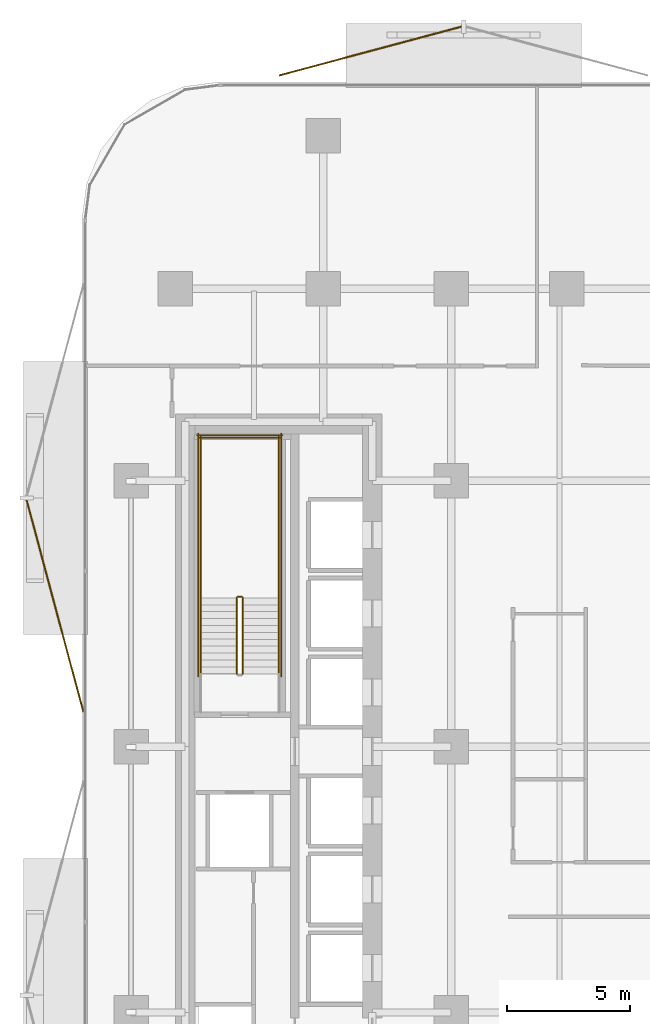
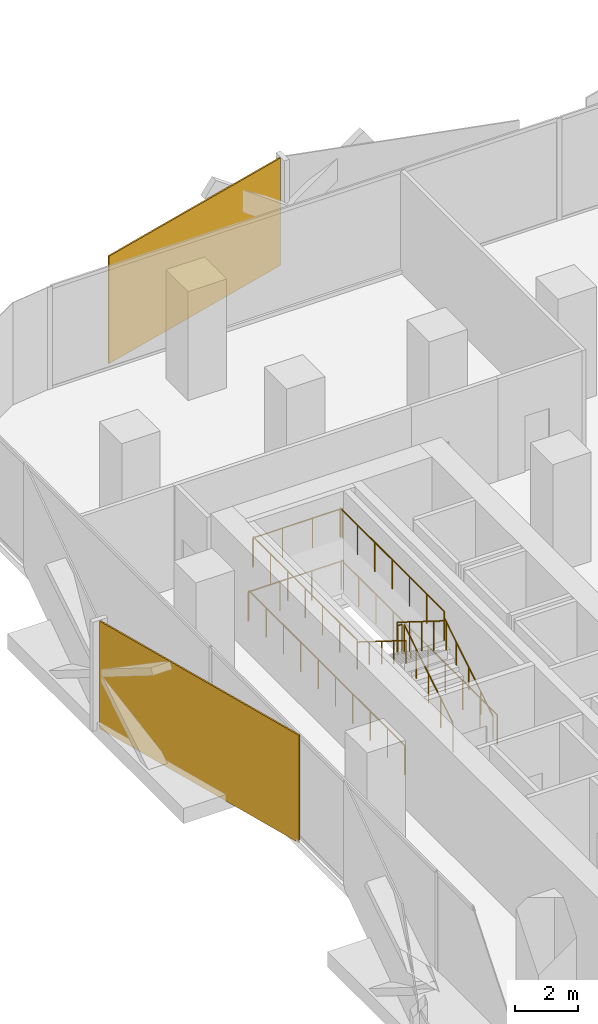
# One storey, part 14 of 15: 11 railings, 2 coverings.
"""IFC4 building model written with IfcOpenShell, lengths in metres."""

from ifc_helpers import new_model, si_unit, direction, frame, origin, origin_2d, place, context, subcontext, project, spatial, rectangle, circle, extrude, material, layer, layer_set, type_object, element, save


model = new_model("IFC4")

# Units and contexts
model_context = context("Model", 3, precision=1e-05, world=origin(), true_north=direction((0.0, 1.0)))
body_context = subcontext(model_context, "Body", "Model", "MODEL_VIEW")
ifc_project = project(units=[si_unit("LENGTHUNIT", "METRE"), si_unit("AREAUNIT", "SQUARE_METRE"), si_unit("VOLUMEUNIT", "CUBIC_METRE"), si_unit("PLANEANGLEUNIT", "RADIAN"), si_unit("MASSUNIT", "GRAM", prefix="KILO")], contexts=[model_context])

# Site, building, storey
site_placement = place(None, origin())
site = spatial("IfcSite", under=ifc_project, at=site_placement, CompositionType="ELEMENT")
building_placement = place(site_placement, origin())
building = spatial("IfcBuilding", under=site, at=building_placement, Name="Khairoan Windgate Tower", CompositionType="ELEMENT")
storey_placement = place(building_placement, frame((0.0, 0.0, 68.0)))
storey = spatial("IfcBuildingStorey", under=building, at=storey_placement, Name="L16", CompositionType="ELEMENT", Elevation=68.0)

# Coverings
ifc_material_1 = material(Name="Anodised Bronze Aluminium 6063-T6", Category="aluminium")
ifc_layer = layer(ifc_material_1, 0.054931640625, Name="Anodised Bronze Aluminium 6063-T6")
ifc_layer_set = layer_set([ifc_layer], Name="Anodised Bronze Aluminium 6063-T6")
covering_type = type_object("IfcCoveringType", Name="Perforated Bronze-Ceramic Folded Solar Screen Cladding BSC-1", PredefinedType="CLADDING", material=ifc_layer_set)
covering_1_placement = place(storey_placement, frame((-25.290283203125, 5.71484375, -0.10009765625), z_axis=(0.0, 0.0, 1.0), x_axis=(-0.258819045103, 0.965925826289, 0.0)))
element("IfcCovering", 1, at=covering_1_placement, inside=storey, type_object=covering_type, Name="L16 Folded Bronze Solar Screen Facet 84L", PredefinedType="CLADDING", context=body_context, shape_type="SweptSolid", body=[
    extrude(rectangle(XDim=8.884033203125, YDim=0.054931640625, at=origin_2d()), origin(), (0.0, 0.0, 1.0), 4.139892578125),
])
covering_2_placement = place(storey_placement, frame((-12.48095703125, 28.249755859375, -0.10009765625), z_axis=(0.0, 0.0, 1.0), x_axis=(0.965925826289, 0.258819045103, 0.0)))
element("IfcCovering", 2, at=covering_2_placement, inside=storey, type_object=covering_type, Name="L16 Folded Bronze Solar Screen Facet 85L", PredefinedType="CLADDING", context=body_context, shape_type="SweptSolid", body=[
    extrude(rectangle(XDim=7.652099609375, YDim=0.054931640625, at=origin_2d()), origin(), (0.0, 0.0, 1.0), 4.139892578125),
])

# Railings
ifc_material_2 = material(Name="Anodised Bronze Aluminium 6063-T6", Category="aluminium")
railing_type_1 = type_object("IfcRailingType", Name="Stair Wall Handrail SHR-900", PredefinedType="HANDRAIL", material=ifc_material_2)
railing_1_placement = place(storey_placement, frame((-16.199951171875, 2.9599609375, 0.175048828125)))
element("IfcRailing", 3, at=railing_1_placement, inside=storey, type_object=railing_type_1, Name="L16 ST2 stair handrail 1", PredefinedType="HANDRAIL", context=body_context, shape_type="SweptSolid", body=[
    extrude(circle(Radius=0.02392578125, at=origin_2d()), frame((0.0, 0.0, 0.8759765625), z_axis=(0.0, 0.847998304005, 0.529998940003), x_axis=(-1.0, 0.0, 0.0)), (0.0, 0.0, 1.0), 3.632080078125),
    extrude(circle(Radius=0.02099609375, at=origin_2d()), origin(), (0.0, 0.0, 1.0), 0.851806640625),
    extrude(circle(Radius=0.02099609375, at=origin_2d()), frame((0.0, 0.77001953125, 0.481201171875)), (0.0, 0.0, 1.0), 0.851806640625),
    extrude(circle(Radius=0.02099609375, at=origin_2d()), frame((0.0, 1.5400390625, 0.96240234375)), (0.0, 0.0, 1.0), 0.851806640625),
    extrude(circle(Radius=0.02099609375, at=origin_2d()), frame((0.0, 2.31005859375, 1.44384765625)), (0.0, 0.0, 1.0), 0.851806640625),
    extrude(circle(Radius=0.02099609375, at=origin_2d()), frame((0.0, 3.080078125, 1.925048828125)), (0.0, 0.0, 1.0), 0.851806640625),
])
railing_2_placement = place(storey_placement, frame((-19.3701171875, 6.0400390625, 2.27490234375)))
element("IfcRailing", 4, at=railing_2_placement, inside=storey, type_object=railing_type_1, Name="L16 ST2 stair handrail 2", PredefinedType="HANDRAIL", context=body_context, shape_type="SweptSolid", body=[
    extrude(circle(Radius=0.02392578125, at=origin_2d()), frame((0.0, 0.0, 0.8759765625), z_axis=(0.0, -0.847998304005, 0.529998940003), x_axis=(1.0, 0.0, 0.0)), (0.0, 0.0, 1.0), 3.632080078125),
    extrude(circle(Radius=0.02099609375, at=origin_2d()), origin(), (0.0, 0.0, 1.0), 0.851806640625),
    extrude(circle(Radius=0.02099609375, at=origin_2d()), frame((0.0, -0.77001953125, 0.481201171875)), (0.0, 0.0, 1.0), 0.851806640625),
    extrude(circle(Radius=0.02099609375, at=origin_2d()), frame((0.0, -1.5400390625, 0.96240234375)), (0.0, 0.0, 1.0), 0.851806640625),
    extrude(circle(Radius=0.02099609375, at=origin_2d()), frame((0.0, -2.31005859375, 1.44384765625)), (0.0, 0.0, 1.0), 0.851806640625),
    extrude(circle(Radius=0.02099609375, at=origin_2d()), frame((0.0, -3.080078125, 1.925048828125)), (0.0, 0.0, 1.0), 0.851806640625),
])
ifc_material_3 = material(Name="Steel S355", Category="steel")
railing_type_2 = type_object("IfcRailingType", Name="Stairwell Safety Guardrail SGR-1150", PredefinedType="GUARDRAIL", material=ifc_material_3)
railing_3_placement = place(storey_placement, frame((-17.659912109375, 2.9599609375, 0.175048828125)))
element("IfcRailing", 5, at=railing_3_placement, inside=storey, type_object=railing_type_2, Name="L16 ST2 stair guard 1", PredefinedType="GUARDRAIL", context=body_context, shape_type="SweptSolid", body=[
    extrude(circle(Radius=0.02392578125, at=origin_2d()), frame((0.0, 0.0, 1.1259765625), z_axis=(0.0, 0.847998304005, 0.529998940003), x_axis=(-1.0, 0.0, 0.0)), (0.0, 0.0, 1.0), 3.632080078125),
    extrude(circle(Radius=0.02099609375, at=origin_2d()), origin(), (0.0, 0.0, 1.0), 1.101806640625),
    extrude(circle(Radius=0.02099609375, at=origin_2d()), frame((0.0, 0.77001953125, 0.481201171875)), (0.0, 0.0, 1.0), 1.101806640625),
    extrude(circle(Radius=0.02099609375, at=origin_2d()), frame((0.0, 1.5400390625, 0.96240234375)), (0.0, 0.0, 1.0), 1.101806640625),
    extrude(circle(Radius=0.02099609375, at=origin_2d()), frame((0.0, 2.31005859375, 1.44384765625)), (0.0, 0.0, 1.0), 1.101806640625),
    extrude(circle(Radius=0.02099609375, at=origin_2d()), frame((0.0, 3.080078125, 1.925048828125)), (0.0, 0.0, 1.0), 1.101806640625),
])
railing_4_placement = place(storey_placement, frame((-17.7099609375, 6.090087890625, 2.10009765625)))
element("IfcRailing", 6, at=railing_4_placement, inside=storey, type_object=railing_type_2, Name="L16 ST2 stair guard 2", PredefinedType="GUARDRAIL", context=body_context, shape_type="SweptSolid", body=[
    extrude(circle(Radius=0.02392578125, at=origin_2d()), frame((0.0, 0.0, 1.1259765625), z_axis=(-1.0, 0.0, 0.0), x_axis=(0.0, -1.0, 0.0)), (0.0, 0.0, 1.0), 0.150146484375),
    extrude(circle(Radius=0.02099609375, at=origin_2d()), origin(), (0.0, 0.0, 1.0), 1.101806640625),
    extrude(circle(Radius=0.02099609375, at=origin_2d()), frame((-0.150146484375, 0.0, 0.0)), (0.0, 0.0, 1.0), 1.101806640625),
])
for number, where, name in (
    (7, (-16.199951171875, 6.0400390625, 2.10009765625), "L16 ST2 stair guard 3"),
    (8, (-19.3701171875, 6.0400390625, 2.10009765625), "L16 ST2 stair guard 4"),
):
    element("IfcRailing", number, at=place(storey_placement, frame(where)), inside=storey, type_object=railing_type_2, Name=name, PredefinedType="GUARDRAIL", context=body_context, shape_type="SweptSolid", body=[
        extrude(circle(Radius=0.02392578125, at=origin_2d()), frame((0.0, 0.0, 1.1259765625), z_axis=(0.0, 1.0, 0.0), x_axis=(-1.0, 0.0, 0.0)), (0.0, 0.0, 1.0), 6.56005859375),
        extrude(circle(Radius=0.02099609375, at=origin_2d()), origin(), (0.0, 0.0, 1.0), 1.101806640625),
        extrude(circle(Radius=0.02099609375, at=origin_2d()), frame((0.0, 1.09326171875, 0.0)), (0.0, 0.0, 1.0), 1.101806640625),
        extrude(circle(Radius=0.02099609375, at=origin_2d()), frame((0.0, 2.186767578125, 0.0)), (0.0, 0.0, 1.0), 1.101806640625),
        extrude(circle(Radius=0.02099609375, at=origin_2d()), frame((0.0, 3.280029296875, 0.0)), (0.0, 0.0, 1.0), 1.101806640625),
        extrude(circle(Radius=0.02099609375, at=origin_2d()), frame((0.0, 4.373291015625, 0.0)), (0.0, 0.0, 1.0), 1.101806640625),
        extrude(circle(Radius=0.02099609375, at=origin_2d()), frame((0.0, 5.466796875, 0.0)), (0.0, 0.0, 1.0), 1.101806640625),
        extrude(circle(Radius=0.02099609375, at=origin_2d()), frame((0.0, 6.56005859375, 0.0)), (0.0, 0.0, 1.0), 1.101806640625),
    ])
railing_5_placement = place(storey_placement, frame((-16.14990234375, 12.550048828125, 2.10009765625)))
element("IfcRailing", 9, at=railing_5_placement, inside=storey, type_object=railing_type_2, Name="L16 ST2 stair guard 5", PredefinedType="GUARDRAIL", context=body_context, shape_type="SweptSolid", body=[
    extrude(circle(Radius=0.02392578125, at=origin_2d()), frame((0.0, 0.0, 1.1259765625), z_axis=(-1.0, 0.0, 0.0), x_axis=(0.0, -1.0, 0.0)), (0.0, 0.0, 1.0), 3.27001953125),
    extrude(circle(Radius=0.02099609375, at=origin_2d()), origin(), (0.0, 0.0, 1.0), 1.101806640625),
    extrude(circle(Radius=0.02099609375, at=origin_2d()), frame((-1.090087890625, 0.0, 0.0)), (0.0, 0.0, 1.0), 1.101806640625),
    extrude(circle(Radius=0.02099609375, at=origin_2d()), frame((-2.179931640625, 0.0, 0.0)), (0.0, 0.0, 1.0), 1.101806640625),
    extrude(circle(Radius=0.02099609375, at=origin_2d()), frame((-3.27001953125, 0.0, 0.0)), (0.0, 0.0, 1.0), 1.101806640625),
])
railing_6_placement = place(storey_placement, frame((-17.909912109375, 6.0400390625, 2.27490234375)))
element("IfcRailing", 10, at=railing_6_placement, inside=storey, type_object=railing_type_2, Name="L16 ST2 stair guard 6", PredefinedType="GUARDRAIL", context=body_context, shape_type="SweptSolid", body=[
    extrude(circle(Radius=0.02392578125, at=origin_2d()), frame((0.0, 0.0, 1.1259765625), z_axis=(0.0, -0.847998304005, 0.529998940003), x_axis=(1.0, 0.0, 0.0)), (0.0, 0.0, 1.0), 3.632080078125),
    extrude(circle(Radius=0.02099609375, at=origin_2d()), origin(), (0.0, 0.0, 1.0), 1.101806640625),
    extrude(circle(Radius=0.02099609375, at=origin_2d()), frame((0.0, -0.77001953125, 0.481201171875)), (0.0, 0.0, 1.0), 1.101806640625),
    extrude(circle(Radius=0.02099609375, at=origin_2d()), frame((0.0, -1.5400390625, 0.96240234375)), (0.0, 0.0, 1.0), 1.101806640625),
    extrude(circle(Radius=0.02099609375, at=origin_2d()), frame((0.0, -2.31005859375, 1.44384765625)), (0.0, 0.0, 1.0), 1.101806640625),
    extrude(circle(Radius=0.02099609375, at=origin_2d()), frame((0.0, -3.080078125, 1.925048828125)), (0.0, 0.0, 1.0), 1.101806640625),
])
for number, where, name in (
    (11, (-16.10009765625, 2.860107421875, 0.0), "L16 ST2 stair guard 10"),
    (12, (-19.469970703125, 2.860107421875, 0.0), "L16 ST2 stair guard 11"),
):
    element("IfcRailing", number, at=place(storey_placement, frame(where)), inside=storey, type_object=railing_type_2, Name=name, PredefinedType="GUARDRAIL", context=body_context, shape_type="SweptSolid", body=[
        extrude(circle(Radius=0.02392578125, at=origin_2d()), frame((0.0, 0.0, 1.1259765625), z_axis=(0.0, 1.0, 0.0), x_axis=(-1.0, 0.0, 0.0)), (0.0, 0.0, 1.0), 9.83984375),
        extrude(circle(Radius=0.02099609375, at=origin_2d()), origin(), (0.0, 0.0, 1.0), 1.101806640625),
        extrude(circle(Radius=0.02099609375, at=origin_2d()), frame((0.0, 1.09326171875, 0.0)), (0.0, 0.0, 1.0), 1.101806640625),
        extrude(circle(Radius=0.02099609375, at=origin_2d()), frame((0.0, 2.1865234375, 0.0)), (0.0, 0.0, 1.0), 1.101806640625),
        extrude(circle(Radius=0.02099609375, at=origin_2d()), frame((0.0, 3.280029296875, 0.0)), (0.0, 0.0, 1.0), 1.101806640625),
        extrude(circle(Radius=0.02099609375, at=origin_2d()), frame((0.0, 4.373291015625, 0.0)), (0.0, 0.0, 1.0), 1.101806640625),
        extrude(circle(Radius=0.02099609375, at=origin_2d()), frame((0.0, 5.466552734375, 0.0)), (0.0, 0.0, 1.0), 1.101806640625),
        extrude(circle(Radius=0.02099609375, at=origin_2d()), frame((0.0, 6.559814453125, 0.0)), (0.0, 0.0, 1.0), 1.101806640625),
        extrude(circle(Radius=0.02099609375, at=origin_2d()), frame((0.0, 7.6533203125, 0.0)), (0.0, 0.0, 1.0), 1.101806640625),
        extrude(circle(Radius=0.02099609375, at=origin_2d()), frame((0.0, 8.74658203125, 0.0)), (0.0, 0.0, 1.0), 1.101806640625),
        extrude(circle(Radius=0.02099609375, at=origin_2d()), frame((0.0, 9.83984375, 0.0)), (0.0, 0.0, 1.0), 1.101806640625),
    ])
railing_7_placement = place(storey_placement, frame((-16.050048828125, 12.64990234375, 0.0)))
element("IfcRailing", 13, at=railing_7_placement, inside=storey, type_object=railing_type_2, Name="L16 ST2 stair guard 12", PredefinedType="GUARDRAIL", context=body_context, shape_type="SweptSolid", body=[
    extrude(circle(Radius=0.02392578125, at=origin_2d()), frame((0.0, 0.0, 1.1259765625), z_axis=(-1.0, 0.0, 0.0), x_axis=(0.0, -1.0, 0.0)), (0.0, 0.0, 1.0), 3.469970703125),
    extrude(circle(Radius=0.02099609375, at=origin_2d()), origin(), (0.0, 0.0, 1.0), 1.101806640625),
    extrude(circle(Radius=0.02099609375, at=origin_2d()), frame((-1.15673828125, 0.0, 0.0)), (0.0, 0.0, 1.0), 1.101806640625),
    extrude(circle(Radius=0.02099609375, at=origin_2d()), frame((-2.313232421875, 0.0, 0.0)), (0.0, 0.0, 1.0), 1.101806640625),
    extrude(circle(Radius=0.02099609375, at=origin_2d()), frame((-3.469970703125, 0.0, 0.0)), (0.0, 0.0, 1.0), 1.101806640625),
])

save(model, "model.ifc")
